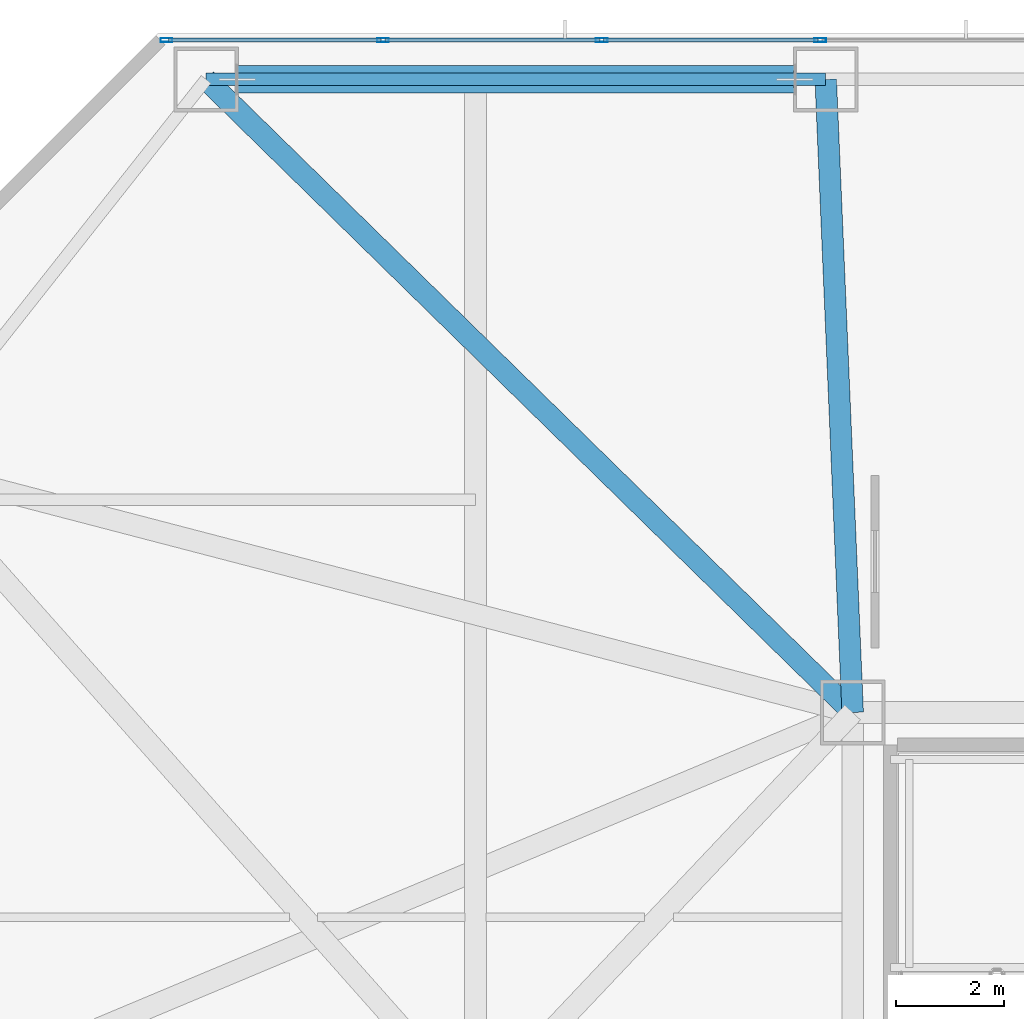
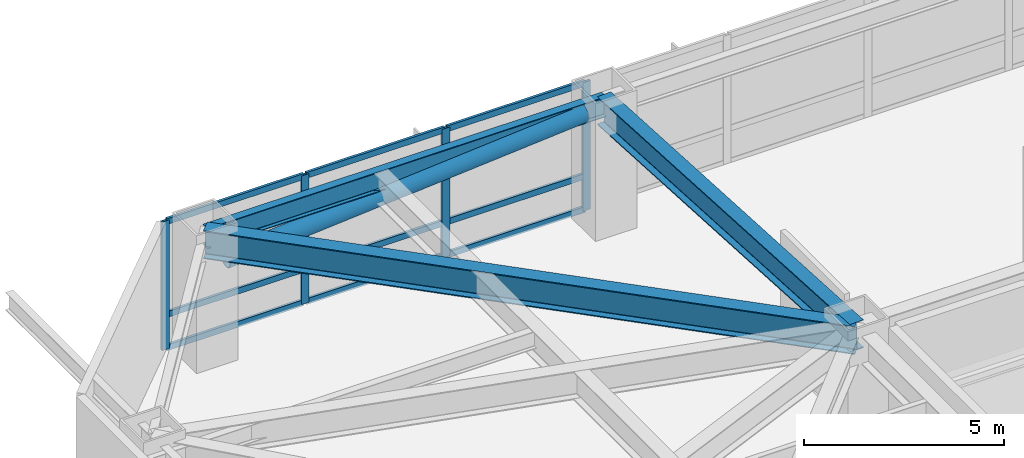
# One storey, part 3 of 24: 14 members, 3 beams, 1 element without a shape of its own.
"""IFC4 building model written with IfcOpenShell, lengths in metres."""

from ifc_helpers import new_model, si_unit, direction, frame, origin, origin_2d, place, context, subcontext, project, spatial, hollow_rectangle, hollow_circle, i_section, extrude, material, material_profile, profile_set, type_object, element, aggregate, save


model = new_model("IFC4")

# Units and contexts
model_context = context("Model", 3, precision=1e-05, world=origin(), true_north=direction((0.0, 1.0)))
body_context = subcontext(model_context, "Body", "Model", "MODEL_VIEW")
ifc_project = project(units=[si_unit("LENGTHUNIT", "METRE"), si_unit("AREAUNIT", "SQUARE_METRE"), si_unit("VOLUMEUNIT", "CUBIC_METRE"), si_unit("PLANEANGLEUNIT", "RADIAN"), si_unit("MASSUNIT", "GRAM", prefix="KILO")], contexts=[model_context])

# Site, building, storey
site_placement = place(None, origin())
site = spatial("IfcSite", under=ifc_project, at=site_placement, CompositionType="ELEMENT")
building_placement = place(site_placement, origin())
building = spatial("IfcBuilding", under=site, at=building_placement, Name="Khamvora Tower", CompositionType="ELEMENT")
storey_placement = place(building_placement, frame((0.0, 0.0, 20.39990234375)))
storey = spatial("IfcBuildingStorey", under=building, at=storey_placement, Name="L04", CompositionType="ELEMENT", Elevation=20.39990234375)

# Beams
ifc_material_1 = material(Name="Steel S355", Category="steel")
ifc_material_profile_1 = material_profile(ifc_material_1, i_section(OverallWidth=0.39990234375, OverallDepth=0.85498046875, WebThickness=0.01806640625, FlangeThickness=0.029052734375, FilletRadius=0.01806640625, at=origin_2d()), Name="W840x299")
ifc_profile_set_1 = profile_set([ifc_material_profile_1], Name="Steel S355")
beam_type_1 = type_object("IfcBeamType", Name="BM-PG-W840x299", PredefinedType="BEAM", material=ifc_profile_set_1)
beam_1_placement = place(storey_placement, frame((18.5, 43.39990234375, 3.4931640625), z_axis=(-0.714510426493, 0.699624792608, 0.0), x_axis=(-0.699624792608, -0.714510426493, 0.0)))
element("IfcBeam", 1, at=beam_1_placement, inside=storey, type_object=beam_type_1, Name="L04 primary floor girder P05", PredefinedType="BEAM", context=body_context, shape_type="SweptSolid", body=[
    extrude(i_section(OverallWidth=0.39990234375, OverallDepth=0.85498046875, WebThickness=0.01806640625, FlangeThickness=0.029052734375, FilletRadius=0.01806640625, at=origin_2d()), origin(), (0.0, 0.0, 1.0), 16.794677734375),
])
beam_2_placement = place(storey_placement, frame((18.5, 43.39990234375, 3.4931640625), z_axis=(-0.042514716625, 0.999095840683, 0.0), x_axis=(-0.999095840683, -0.042514716625, 0.0)))
element("IfcBeam", 2, at=beam_2_placement, inside=storey, type_object=beam_type_1, Name="L04 primary floor girder P06", PredefinedType="BEAM", context=body_context, shape_type="SweptSolid", body=[
    extrude(i_section(OverallWidth=0.39990234375, OverallDepth=0.85498046875, WebThickness=0.01806640625, FlangeThickness=0.029052734375, FilletRadius=0.01806640625, at=origin_2d()), origin(), (0.0, 0.0, 1.0), 11.7607421875),
])
ifc_material_profile_2 = material_profile(ifc_material_1, i_section(OverallWidth=0.22998046875, OverallDepth=0.616943359375, WebThickness=0.012939453125, FlangeThickness=0.02197265625, FilletRadius=0.013916015625, at=origin_2d()), Name="W610x140")
ifc_profile_set_2 = profile_set([ifc_material_profile_2], Name="Steel S355")
beam_type_2 = type_object("IfcBeamType", Name="BM-SP-W610x140", PredefinedType="SPANDREL", material=ifc_profile_set_2)
beam_3_placement = place(storey_placement, frame((18.0, 55.14990234375, 3.612060546875), z_axis=(-1.0, 0.0, 0.0), x_axis=(0.0, -1.0, 0.0)))
element("IfcBeam", 3, at=beam_3_placement, inside=storey, type_object=beam_type_2, Name="L04 perimeter spandrel beam P06-P05", PredefinedType="SPANDREL", context=body_context, shape_type="SweptSolid", body=[
    extrude(i_section(OverallWidth=0.22998046875, OverallDepth=0.616943359375, WebThickness=0.012939453125, FlangeThickness=0.02197265625, FilletRadius=0.013916015625, at=origin_2d()), origin(), (0.0, 0.0, 1.0), 11.5),
])

# Curtain wall, members
ifc_material_2 = material(Name="Anodised Aluminium 6063-T6", Category="aluminium")
curtain_wall_type = type_object("IfcCurtainWallType", Name="CW-SYS-01", PredefinedType="NOTDEFINED", material=ifc_material_2)
curtain_wall_placement = place(storey_placement, origin())
curtain_wall = element("IfcCurtainWall", 4, at=curtain_wall_placement, inside=storey, type_object=curtain_wall_type, Name="L04 stick curtain wall 07.1", PredefinedType="NOTDEFINED")
ifc_material_profile_3 = material_profile(ifc_material_2, hollow_rectangle(XDim=0.074951171875, YDim=0.219970703125, WallThickness=0.0048828125, at=origin_2d()), Name="MUL75x220x5")
ifc_profile_set_3 = profile_set([ifc_material_profile_3], Name="Anodised Aluminium 6063-T6")
member_type_1 = type_object("IfcMemberType", Name="CW-SYS-01-MUL", PredefinedType="MULLION", material=ifc_profile_set_3)
member_1_placement = place(storey_placement, frame((5.764404296875, 55.8798828125, 0.0), z_axis=(0.0, 0.0, 1.0), x_axis=(0.0, 1.0, 0.0)))
member_1 = element("IfcMember", 5, at=member_1_placement, type_object=member_type_1, Name="CW-01 mullion 1", PredefinedType="MULLION", context=body_context, shape_type="SweptSolid", body=[
    extrude(hollow_rectangle(XDim=0.074951171875, YDim=0.219970703125, WallThickness=0.0048828125, at=origin_2d()), origin(), (0.0, 0.0, 1.0), 3.920166015625),
])
member_2_placement = place(storey_placement, frame((9.78369140625, 55.8798828125, 0.0), z_axis=(0.0, 0.0, 1.0), x_axis=(0.0, 1.0, 0.0)))
member_2 = element("IfcMember", 6, at=member_2_placement, type_object=member_type_1, Name="CW-01 mullion 2", PredefinedType="MULLION", context=body_context, shape_type="SweptSolid", body=[
    extrude(hollow_rectangle(XDim=0.074951171875, YDim=0.219970703125, WallThickness=0.0048828125, at=origin_2d()), origin(), (0.0, 0.0, 1.0), 3.920166015625),
])
member_3_placement = place(storey_placement, frame((13.84033203125, 55.8798828125, 0.0), z_axis=(0.0, 0.0, 1.0), x_axis=(0.0, 1.0, 0.0)))
member_3 = element("IfcMember", 7, at=member_3_placement, type_object=member_type_1, Name="CW-01 mullion 3", PredefinedType="MULLION", context=body_context, shape_type="SweptSolid", body=[
    extrude(hollow_rectangle(XDim=0.074951171875, YDim=0.219970703125, WallThickness=0.0048828125, at=origin_2d()), origin(), (0.0, 0.0, 1.0), 3.920166015625),
])
member_4_placement = place(storey_placement, frame((17.89697265625, 55.8798828125, 0.0), z_axis=(0.0, 0.0, 1.0), x_axis=(0.0, 1.0, 0.0)))
member_4 = element("IfcMember", 8, at=member_4_placement, type_object=member_type_1, Name="CW-01 mullion 4", PredefinedType="MULLION", context=body_context, shape_type="SweptSolid", body=[
    extrude(hollow_rectangle(XDim=0.074951171875, YDim=0.219970703125, WallThickness=0.0048828125, at=origin_2d()), origin(), (0.0, 0.0, 1.0), 3.920166015625),
])
ifc_material_profile_4 = material_profile(ifc_material_2, hollow_rectangle(XDim=0.074951171875, YDim=0.179931640625, WallThickness=0.0048828125, at=origin_2d()), Name="TRN75x180x5")
ifc_profile_set_4 = profile_set([ifc_material_profile_4], Name="Anodised Aluminium 6063-T6")
member_type_2 = type_object("IfcMemberType", Name="CW-SYS-01-TRN", PredefinedType="USERDEFINED", material=ifc_profile_set_4)
member_5_placement = place(storey_placement, frame((5.802001953125, 55.8798828125, 0.03759765625), z_axis=(1.0, 0.0, 0.0), x_axis=(0.0, 1.0, 0.0)))
member_5 = element("IfcMember", 9, at=member_5_placement, type_object=member_type_2, Name="CW-01 transom 1.1", ObjectType="TRANSOM", PredefinedType="USERDEFINED", context=body_context, shape_type="SweptSolid", body=[
    extrude(hollow_rectangle(XDim=0.074951171875, YDim=0.179931640625, WallThickness=0.0048828125, at=origin_2d()), origin(), (0.0, 0.0, 1.0), 3.944091796875),
])
member_6_placement = place(storey_placement, frame((5.802001953125, 55.8798828125, 1.050048828125), z_axis=(1.0, 0.0, 0.0), x_axis=(0.0, 1.0, 0.0)))
member_6 = element("IfcMember", 10, at=member_6_placement, type_object=member_type_2, Name="CW-01 transom 1.2", ObjectType="TRANSOM", PredefinedType="USERDEFINED", context=body_context, shape_type="SweptSolid", body=[
    extrude(hollow_rectangle(XDim=0.074951171875, YDim=0.179931640625, WallThickness=0.0048828125, at=origin_2d()), origin(), (0.0, 0.0, 1.0), 3.944091796875),
])
member_7_placement = place(storey_placement, frame((5.802001953125, 55.8798828125, 3.882568359375), z_axis=(1.0, 0.0, 0.0), x_axis=(0.0, 1.0, 0.0)))
member_7 = element("IfcMember", 11, at=member_7_placement, type_object=member_type_2, Name="CW-01 transom 1.3", ObjectType="TRANSOM", PredefinedType="USERDEFINED", context=body_context, shape_type="SweptSolid", body=[
    extrude(hollow_rectangle(XDim=0.074951171875, YDim=0.179931640625, WallThickness=0.0048828125, at=origin_2d()), origin(), (0.0, 0.0, 1.0), 3.944091796875),
])
member_8_placement = place(storey_placement, frame((9.821044921875, 55.8798828125, 0.03759765625), z_axis=(1.0, 0.0, 0.0), x_axis=(0.0, 1.0, 0.0)))
member_8 = element("IfcMember", 12, at=member_8_placement, type_object=member_type_2, Name="CW-01 transom 2.1", ObjectType="TRANSOM", PredefinedType="USERDEFINED", context=body_context, shape_type="SweptSolid", body=[
    extrude(hollow_rectangle(XDim=0.074951171875, YDim=0.179931640625, WallThickness=0.0048828125, at=origin_2d()), origin(), (0.0, 0.0, 1.0), 3.981689453125),
])
member_9_placement = place(storey_placement, frame((9.821044921875, 55.8798828125, 1.050048828125), z_axis=(1.0, 0.0, 0.0), x_axis=(0.0, 1.0, 0.0)))
member_9 = element("IfcMember", 13, at=member_9_placement, type_object=member_type_2, Name="CW-01 transom 2.2", ObjectType="TRANSOM", PredefinedType="USERDEFINED", context=body_context, shape_type="SweptSolid", body=[
    extrude(hollow_rectangle(XDim=0.074951171875, YDim=0.179931640625, WallThickness=0.0048828125, at=origin_2d()), origin(), (0.0, 0.0, 1.0), 3.981689453125),
])
member_10_placement = place(storey_placement, frame((9.821044921875, 55.8798828125, 3.882568359375), z_axis=(1.0, 0.0, 0.0), x_axis=(0.0, 1.0, 0.0)))
member_10 = element("IfcMember", 14, at=member_10_placement, type_object=member_type_2, Name="CW-01 transom 2.3", ObjectType="TRANSOM", PredefinedType="USERDEFINED", context=body_context, shape_type="SweptSolid", body=[
    extrude(hollow_rectangle(XDim=0.074951171875, YDim=0.179931640625, WallThickness=0.0048828125, at=origin_2d()), origin(), (0.0, 0.0, 1.0), 3.981689453125),
])
member_11_placement = place(storey_placement, frame((13.877685546875, 55.8798828125, 0.03759765625), z_axis=(1.0, 0.0, 0.0), x_axis=(0.0, 1.0, 0.0)))
member_11 = element("IfcMember", 15, at=member_11_placement, type_object=member_type_2, Name="CW-01 transom 3.1", ObjectType="TRANSOM", PredefinedType="USERDEFINED", context=body_context, shape_type="SweptSolid", body=[
    extrude(hollow_rectangle(XDim=0.074951171875, YDim=0.179931640625, WallThickness=0.0048828125, at=origin_2d()), origin(), (0.0, 0.0, 1.0), 3.981689453125),
])
member_12_placement = place(storey_placement, frame((13.877685546875, 55.8798828125, 1.050048828125), z_axis=(1.0, 0.0, 0.0), x_axis=(0.0, 1.0, 0.0)))
member_12 = element("IfcMember", 16, at=member_12_placement, type_object=member_type_2, Name="CW-01 transom 3.2", ObjectType="TRANSOM", PredefinedType="USERDEFINED", context=body_context, shape_type="SweptSolid", body=[
    extrude(hollow_rectangle(XDim=0.074951171875, YDim=0.179931640625, WallThickness=0.0048828125, at=origin_2d()), origin(), (0.0, 0.0, 1.0), 3.981689453125),
])
member_13_placement = place(storey_placement, frame((13.877685546875, 55.8798828125, 3.882568359375), z_axis=(1.0, 0.0, 0.0), x_axis=(0.0, 1.0, 0.0)))
member_13 = element("IfcMember", 17, at=member_13_placement, type_object=member_type_2, Name="CW-01 transom 3.3", ObjectType="TRANSOM", PredefinedType="USERDEFINED", context=body_context, shape_type="SweptSolid", body=[
    extrude(hollow_rectangle(XDim=0.074951171875, YDim=0.179931640625, WallThickness=0.0048828125, at=origin_2d()), origin(), (0.0, 0.0, 1.0), 3.981689453125),
])
aggregate(curtain_wall, [member_1, member_2, member_3, member_4, member_5, member_6, member_7, member_8, member_9, member_10, member_11, member_12, member_13])

# Member
ifc_material_3 = material(Name="Steel S460", Category="steel")
ifc_material_profile_5 = material_profile(ifc_material_3, hollow_circle(Radius=0.25390625, WallThickness=0.02490234375, at=origin_2d()), Name="CHS508x25")
ifc_profile_set_5 = profile_set([ifc_material_profile_5], Name="Steel S460")
member_type_3 = type_object("IfcMemberType", Name="MEM-BR-CHS508", PredefinedType="BRACE", material=ifc_profile_set_5)
member_14_placement = place(storey_placement, frame((7.077880859375, 55.14990234375, 2.72705078125), z_axis=(0.996733604617, 0.0, 0.080759652222), x_axis=(0.0, 1.0, 0.0)))
element("IfcMember", 18, at=member_14_placement, inside=storey, type_object=member_type_3, Name="L04 perimeter wind brace 3", PredefinedType="BRACE", context=body_context, shape_type="SweptSolid", body=[
    extrude(hollow_circle(Radius=0.25390625, WallThickness=0.02490234375, at=origin_2d()), origin(), (0.0, 0.0, 1.0), 10.378173828125),
])

save(model, "model.ifc")
